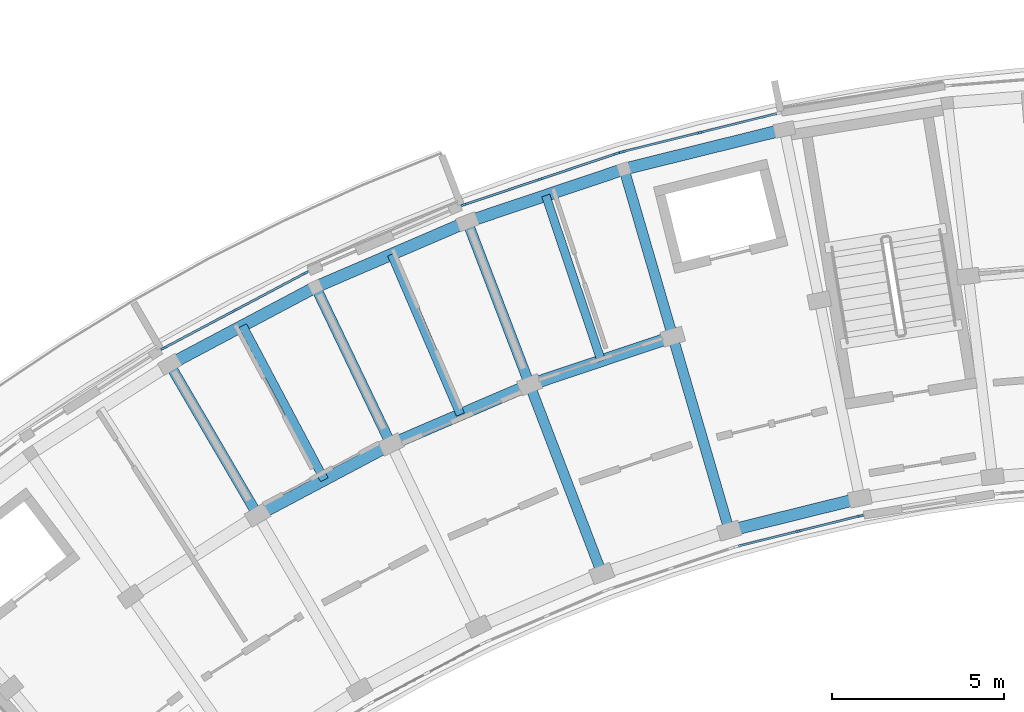
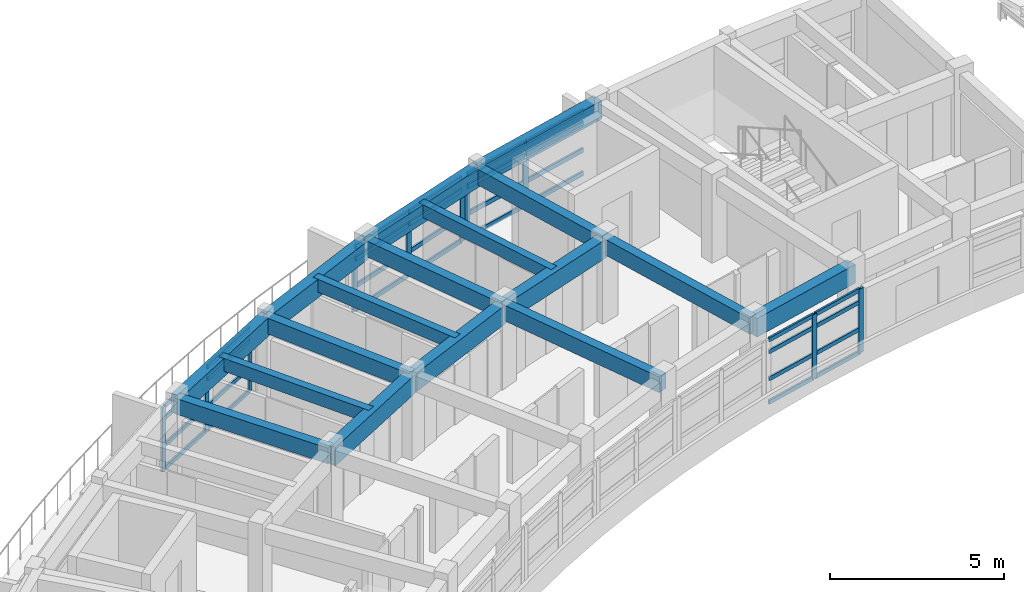
# One storey, part 9 of 20: 42 members, 17 beams, 4 elements without a shape of their own.
"""IFC4 building model written with IfcOpenShell, lengths in metres."""

from ifc_helpers import new_model, si_unit, direction, frame, origin, origin_2d, place, context, subcontext, project, spatial, rectangle, extrude, material, material_profile, profile_set, type_object, element, aggregate, save


model = new_model("IFC4")

# Units and contexts
model_context = context("Model", 3, precision=1e-05, world=origin(), true_north=direction((0.0, 1.0)))
body_context = subcontext(model_context, "Body", "Model", "MODEL_VIEW")
ifc_project = project(units=[si_unit("LENGTHUNIT", "METRE"), si_unit("AREAUNIT", "SQUARE_METRE"), si_unit("VOLUMEUNIT", "CUBIC_METRE"), si_unit("PLANEANGLEUNIT", "RADIAN"), si_unit("MASSUNIT", "GRAM", prefix="KILO")], contexts=[model_context])

# Site, building, storey
site_placement = place(None, origin())
site = spatial("IfcSite", under=ifc_project, at=site_placement, CompositionType="ELEMENT")
building_placement = place(site_placement, origin())
building = spatial("IfcBuilding", under=site, at=building_placement, Name="Zimvara Arc Housing Community", CompositionType="ELEMENT")
storey_placement = place(building_placement, frame((0.0, 0.0, 39.10009765625)))
storey = spatial("IfcBuildingStorey", under=building, at=storey_placement, Name="L12", CompositionType="ELEMENT", Elevation=39.10009765625)

# Beams
ifc_material_1 = material(Name="Concrete C40/50", Category="concrete")
ifc_material_profile_1 = material_profile(ifc_material_1, rectangle(XDim=0.25, YDim=0.449951171875, at=origin_2d()), Name="RC 250x450")
ifc_profile_set_1 = profile_set([ifc_material_profile_1], Name="Concrete C40/50")
beam_type_1 = type_object("IfcBeamType", Name="BM-RC-250x450", PredefinedType="JOIST", material=ifc_profile_set_1)
beam_1_placement = place(storey_placement, frame((19.813232421875, 91.9892578125, 2.635009765625), z_axis=(-0.46853732736, 0.883443701019, 0.0), x_axis=(-0.883443701019, -0.46853732736, 0.0)))
element("IfcBeam", 1, at=beam_1_placement, inside=storey, type_object=beam_type_1, Name="bm:blkA:L12:joist:b4", PredefinedType="JOIST", context=body_context, shape_type="SweptSolid", body=[
    extrude(rectangle(XDim=0.25, YDim=0.449951171875, at=origin_2d()), origin(), (0.0, 0.0, 1.0), 5.07568359375),
])
beam_2_placement = place(storey_placement, frame((23.77197265625, 93.885986328125, 2.635009765625), z_axis=(-0.394929109608, 0.918711596958, 0.0), x_axis=(-0.918711596958, -0.394929109608, 0.0)))
element("IfcBeam", 2, at=beam_2_placement, inside=storey, type_object=beam_type_1, Name="bm:blkA:L12:joist:b5", PredefinedType="JOIST", context=body_context, shape_type="SweptSolid", body=[
    extrude(rectangle(XDim=0.25, YDim=0.449951171875, at=origin_2d()), origin(), (0.0, 0.0, 1.0), 5.075927734375),
])
beam_3_placement = place(storey_placement, frame((27.8720703125, 95.453369140625, 2.635009765625), z_axis=(-0.318607669836, 0.947886677152, 0.0), x_axis=(-0.947886677152, -0.318607669836, 0.0)))
element("IfcBeam", 3, at=beam_3_placement, inside=storey, type_object=beam_type_1, Name="bm:blkA:L12:joist:b6", PredefinedType="JOIST", context=body_context, shape_type="SweptSolid", body=[
    extrude(rectangle(XDim=0.25, YDim=0.449951171875, at=origin_2d()), origin(), (0.0, 0.0, 1.0), 5.07568359375),
])
ifc_material_2 = material(Name="Concrete C40/50", Category="concrete")
ifc_material_profile_2 = material_profile(ifc_material_2, rectangle(XDim=0.300048828125, YDim=0.550048828125, at=origin_2d()), Name="RC 300x550")
ifc_profile_set_2 = profile_set([ifc_material_profile_2], Name="Concrete C40/50")
beam_type_2 = type_object("IfcBeamType", Name="BM-RC-300x550", PredefinedType="BEAM", material=ifc_profile_set_2)
beam_4_placement = place(storey_placement, frame((17.87255859375, 90.960205078125, 2.5849609375), z_axis=(-0.504196701544, 0.863588840915, 0.0), x_axis=(-0.863588840915, -0.504196701544, 0.0)))
element("IfcBeam", 4, at=beam_4_placement, inside=storey, type_object=beam_type_2, Name="bm:blkA:L12:rad:b4:r23", PredefinedType="BEAM", context=body_context, shape_type="SweptSolid", body=[
    extrude(rectangle(XDim=0.300048828125, YDim=0.550048828125, at=origin_2d()), origin(), (0.0, 0.0, 1.0), 5.079833984375),
])
beam_5_placement = place(storey_placement, frame((21.75390625, 93.0185546875, 2.5849609375), z_axis=(-0.432098194978, 0.901826563091, 0.0), x_axis=(-0.901826563091, -0.432098194978, 0.0)))
element("IfcBeam", 5, at=beam_5_placement, inside=storey, type_object=beam_type_2, Name="bm:blkA:L12:rad:b5:r23", PredefinedType="BEAM", context=body_context, shape_type="SweptSolid", body=[
    extrude(rectangle(XDim=0.300048828125, YDim=0.550048828125, at=origin_2d()), origin(), (0.0, 0.0, 1.0), 5.080078125),
])
beam_6_placement = place(storey_placement, frame((27.889404296875, 89.260986328125, 2.5849609375), z_axis=(-0.357036247742, 0.934090529766, 0.0), x_axis=(-0.934090529766, -0.357036247742, 0.0)))
element("IfcBeam", 6, at=beam_6_placement, inside=storey, type_object=beam_type_2, Name="bm:blkA:L12:rad:b6:r12", PredefinedType="BEAM", context=body_context, shape_type="SweptSolid", body=[
    extrude(rectangle(XDim=0.300048828125, YDim=0.550048828125, at=origin_2d()), origin(), (0.0, 0.0, 1.0), 5.8798828125),
])
beam_7_placement = place(storey_placement, frame((25.7900390625, 94.75341796875, 2.5849609375), z_axis=(-0.357078271386, 0.934074466038, 0.0), x_axis=(-0.934074466038, -0.357078271386, 0.0)))
element("IfcBeam", 7, at=beam_7_placement, inside=storey, type_object=beam_type_2, Name="bm:blkA:L12:rad:b6:r23", PredefinedType="BEAM", context=body_context, shape_type="SweptSolid", body=[
    extrude(rectangle(XDim=0.300048828125, YDim=0.550048828125, at=origin_2d()), origin(), (0.0, 0.0, 1.0), 5.080078125),
])
beam_8_placement = place(storey_placement, frame((31.5986328125, 90.5078125, 2.5849609375), z_axis=(-0.27967473749, 0.960094808449, 0.0), x_axis=(-0.960094808449, -0.27967473749, 0.0)))
element("IfcBeam", 8, at=beam_8_placement, inside=storey, type_object=beam_type_2, Name="bm:blkA:L12:rad:b7:r12", PredefinedType="BEAM", context=body_context, shape_type="SweptSolid", body=[
    extrude(rectangle(XDim=0.300048828125, YDim=0.550048828125, at=origin_2d()), origin(), (0.0, 0.0, 1.0), 5.880126953125),
])
beam_9_placement = place(storey_placement, frame((29.9541015625, 96.1533203125, 2.5849609375), z_axis=(-0.279662254096, 0.960098444762, 0.0), x_axis=(-0.960098444762, -0.279662254096, 0.0)))
element("IfcBeam", 9, at=beam_9_placement, inside=storey, type_object=beam_type_2, Name="bm:blkA:L12:rad:b7:r23", PredefinedType="BEAM", context=body_context, shape_type="SweptSolid", body=[
    extrude(rectangle(XDim=0.300048828125, YDim=0.550048828125, at=origin_2d()), origin(), (0.0, 0.0, 1.0), 5.079833984375),
])
ifc_material_3 = material(Name="Concrete C40/50", Category="concrete")
ifc_material_profile_3 = material_profile(ifc_material_3, rectangle(XDim=0.35009765625, YDim=0.64990234375, at=origin_2d()), Name="RC 350x650")
ifc_profile_set_3 = profile_set([ifc_material_profile_3], Name="Concrete C40/50")
beam_type_3 = type_object("IfcBeamType", Name="BM-RC-350x650", PredefinedType="BEAM", material=ifc_profile_set_3)
beam_10_placement = place(storey_placement, frame((31.5986328125, 90.5078125, 2.534912109375), z_axis=(0.970708671682, 0.240259598602, 0.0), x_axis=(-0.240259598602, 0.970708671682, 0.0)))
element("IfcBeam", 10, at=beam_10_placement, inside=storey, type_object=beam_type_3, Name="bm:blkA:L12:chord:r1:b7", PredefinedType="BEAM", context=body_context, shape_type="SweptSolid", body=[
    extrude(rectangle(XDim=0.35009765625, YDim=0.64990234375, at=origin_2d()), origin(), (0.0, 0.0, 1.0), 3.9130859375),
])
for number, where, z_axis, x_axis, name in (
    (11, (17.87255859375, 90.960205078125, 2.534912109375), (0.883456526058, 0.468513144496, 0.0), (-0.468513144496, 0.883456526058, 0.0), "bm:blkA:L12:chord:r2:b4"),
    (12, (21.75390625, 93.0185546875, 2.534912109375), (0.918724840088, 0.394898301093, 0.0), (-0.394898301093, 0.918724840088, 0.0), "bm:blkA:L12:chord:r2:b5"),
):
    element("IfcBeam", number, at=place(storey_placement, frame(where, z_axis=z_axis, x_axis=x_axis)), inside=storey, type_object=beam_type_3, Name=name, PredefinedType="BEAM", context=body_context, shape_type="SweptSolid", body=[
        extrude(rectangle(XDim=0.35009765625, YDim=0.64990234375, at=origin_2d()), origin(), (0.0, 0.0, 1.0), 4.393310546875),
    ])
beam_11_placement = place(storey_placement, frame((25.7900390625, 94.75341796875, 2.534912109375), z_axis=(0.947868796036, 0.318660862832, 0.0), x_axis=(-0.318660862832, 0.947868796036, 0.0)))
element("IfcBeam", 13, at=beam_11_placement, inside=storey, type_object=beam_type_3, Name="bm:blkA:L12:chord:r2:b6", PredefinedType="BEAM", context=body_context, shape_type="SweptSolid", body=[
    extrude(rectangle(XDim=0.35009765625, YDim=0.64990234375, at=origin_2d()), origin(), (0.0, 0.0, 1.0), 4.39306640625),
])
beam_12_placement = place(storey_placement, frame((15.311279296875, 95.34716796875, 2.534912109375), z_axis=(0.883445542299, 0.468533855546, 0.0), x_axis=(-0.468533855546, 0.883445542299, 0.0)))
element("IfcBeam", 14, at=beam_12_placement, inside=storey, type_object=beam_type_3, Name="bm:blkA:L12:chord:r3:b4", PredefinedType="BEAM", context=body_context, shape_type="SweptSolid", body=[
    extrude(rectangle(XDim=0.35009765625, YDim=0.64990234375, at=origin_2d()), origin(), (0.0, 0.0, 1.0), 4.807861328125),
])
beam_13_placement = place(storey_placement, frame((19.558837890625, 97.599853515625, 2.534912109375), z_axis=(0.918724276228, 0.394899612901, 0.0), x_axis=(-0.394899612901, 0.918724276228, 0.0)))
element("IfcBeam", 15, at=beam_13_placement, inside=storey, type_object=beam_type_3, Name="bm:blkA:L12:chord:r3:b5", PredefinedType="BEAM", context=body_context, shape_type="SweptSolid", body=[
    extrude(rectangle(XDim=0.35009765625, YDim=0.64990234375, at=origin_2d()), origin(), (0.0, 0.0, 1.0), 4.80810546875),
])
beam_14_placement = place(storey_placement, frame((23.97607421875, 99.49853515625, 2.534912109375), z_axis=(0.947877948153, 0.31863363822, 0.0), x_axis=(-0.31863363822, 0.947877948153, 0.0)))
element("IfcBeam", 16, at=beam_14_placement, inside=storey, type_object=beam_type_3, Name="bm:blkA:L12:chord:r3:b6", PredefinedType="BEAM", context=body_context, shape_type="SweptSolid", body=[
    extrude(rectangle(XDim=0.35009765625, YDim=0.64990234375, at=origin_2d()), origin(), (0.0, 0.0, 1.0), 4.807861328125),
])
beam_15_placement = place(storey_placement, frame((28.533447265625, 101.030517578125, 2.534912109375), z_axis=(0.970716235341, 0.240229037474, 0.0), x_axis=(-0.240229037474, 0.970716235341, 0.0)))
element("IfcBeam", 17, at=beam_15_placement, inside=storey, type_object=beam_type_3, Name="bm:blkA:L12:chord:r3:b7", PredefinedType="BEAM", context=body_context, shape_type="SweptSolid", body=[
    extrude(rectangle(XDim=0.35009765625, YDim=0.64990234375, at=origin_2d()), origin(), (0.0, 0.0, 1.0), 4.80810546875),
])

# Curtain wall, members
ifc_material_4 = material(Name="Anodised Aluminium AW-6063", Category="aluminium")
curtain_wall_type_1 = type_object("IfcCurtainWallType", Name="CW-SYS-08", PredefinedType="USERDEFINED", material=ifc_material_4)
curtain_wall_1_placement = place(storey_placement, origin())
curtain_wall_1 = element("IfcCurtainWall", 18, at=curtain_wall_1_placement, inside=storey, type_object=curtain_wall_type_1, Name="cw:blkA:L12:out:b4", ObjectType="CURTAIN WALL", PredefinedType="USERDEFINED")
ifc_material_5 = material(Name="Anodised Aluminium AW-6063", Category="aluminium")
ifc_material_profile_4 = material_profile(ifc_material_5, rectangle(XDim=0.06494140625, YDim=0.179931640625, at=origin_2d()), Name="ALU 65x180")
ifc_profile_set_4 = profile_set([ifc_material_profile_4], Name="Anodised Aluminium AW-6063")
member_type_1 = type_object("IfcMemberType", Name="CWM-65x150", PredefinedType="MULLION", material=ifc_profile_set_4)
member_1_placement = place(storey_placement, frame((15.140869140625, 95.822265625, 0.0), z_axis=(0.0, 0.0, 1.0), x_axis=(-0.468546917761, 0.883438614651, 0.0)))
member_1 = element("IfcMember", 19, at=member_1_placement, type_object=member_type_1, Name="CW08 mullion 1", PredefinedType="MULLION", context=body_context, shape_type="SweptSolid", body=[
    extrude(rectangle(XDim=0.06494140625, YDim=0.179931640625, at=origin_2d()), origin(), (0.0, 0.0, 1.0), 2.25),
])
member_2_placement = place(storey_placement, frame((17.200927734375, 96.914794921875, 0.0), z_axis=(0.0, 0.0, 1.0), x_axis=(-0.468546917761, 0.883438614651, 0.0)))
member_2 = element("IfcMember", 20, at=member_2_placement, type_object=member_type_1, Name="CW08 mullion 2", PredefinedType="MULLION", context=body_context, shape_type="SweptSolid", body=[
    extrude(rectangle(XDim=0.06494140625, YDim=0.179931640625, at=origin_2d()), origin(), (0.0, 0.0, 1.0), 2.25),
])
member_3_placement = place(storey_placement, frame((19.260986328125, 98.007568359375, 0.0), z_axis=(0.0, 0.0, 1.0), x_axis=(-0.468546917761, 0.883438614651, 0.0)))
member_3 = element("IfcMember", 21, at=member_3_placement, type_object=member_type_1, Name="CW08 mullion 3", PredefinedType="MULLION", context=body_context, shape_type="SweptSolid", body=[
    extrude(rectangle(XDim=0.06494140625, YDim=0.179931640625, at=origin_2d()), origin(), (0.0, 0.0, 1.0), 2.25),
])

ifc_material_6 = material(Name="Anodised Aluminium AW-6063", Category="aluminium")
curtain_wall_type_2 = type_object("IfcCurtainWallType", Name="CW-SYS-06", PredefinedType="USERDEFINED", material=ifc_material_6)
curtain_wall_2_placement = place(storey_placement, origin())
curtain_wall_2 = element("IfcCurtainWall", 22, at=curtain_wall_2_placement, inside=storey, type_object=curtain_wall_type_2, Name="cw:blkA:L12:in:b7", ObjectType="CURTAIN WALL", PredefinedType="USERDEFINED")
member_4_placement = place(storey_placement, frame((33.617919921875, 90.492919921875, 0.0), z_axis=(0.0, 0.0, 1.0), x_axis=(-0.240229186313, 0.970716198507, 0.0)))
member_4 = element("IfcMember", 23, at=member_4_placement, type_object=member_type_1, Name="CW06 mullion 2", PredefinedType="MULLION", context=body_context, shape_type="SweptSolid", body=[
    extrude(rectangle(XDim=0.06494140625, YDim=0.179931640625, at=origin_2d()), origin(), (0.0, 0.0, 1.0), 2.25),
])
member_5_placement = place(storey_placement, frame((35.407470703125, 90.935791015625, 0.0), z_axis=(0.0, 0.0, 1.0), x_axis=(-0.240229186313, 0.970716198507, 0.0)))
member_5 = element("IfcMember", 24, at=member_5_placement, type_object=member_type_1, Name="CW06 mullion 3", PredefinedType="MULLION", context=body_context, shape_type="SweptSolid", body=[
    extrude(rectangle(XDim=0.06494140625, YDim=0.179931640625, at=origin_2d()), origin(), (0.0, 0.0, 1.0), 2.25),
])

ifc_material_7 = material(Name="Anodised Aluminium AW-6063", Category="aluminium")
curtain_wall_type_3 = type_object("IfcCurtainWallType", Name="CW-SYS-03", PredefinedType="USERDEFINED", material=ifc_material_7)
curtain_wall_3_placement = place(storey_placement, origin())
curtain_wall_3 = element("IfcCurtainWall", 25, at=curtain_wall_3_placement, inside=storey, type_object=curtain_wall_type_3, Name="cw:blkA:L12:out:b6", ObjectType="CURTAIN WALL", PredefinedType="USERDEFINED")
ifc_material_8 = material(Name="Anodised Aluminium AW-6063", Category="aluminium")
ifc_material_profile_5 = material_profile(ifc_material_8, rectangle(XDim=0.06494140625, YDim=0.195068359375, at=origin_2d()), Name="ALU 65x195")
ifc_profile_set_5 = profile_set([ifc_material_profile_5], Name="Anodised Aluminium AW-6063")
member_type_2 = type_object("IfcMemberType", Name="CWM-65x180", PredefinedType="MULLION", material=ifc_profile_set_5)
member_6_placement = place(storey_placement, frame((23.88525390625, 99.9951171875, 0.0), z_axis=(0.0, 0.0, 1.0), x_axis=(-0.318628583921, 0.947879647164, 0.0)))
member_6 = element("IfcMember", 26, at=member_6_placement, type_object=member_type_2, Name="CW03 mullion 1", PredefinedType="MULLION", context=body_context, shape_type="SweptSolid", body=[
    extrude(rectangle(XDim=0.06494140625, YDim=0.195068359375, at=origin_2d()), origin(), (0.0, 0.0, 1.0), 2.25),
])
member_7_placement = place(storey_placement, frame((26.095703125, 100.73828125, 0.0), z_axis=(0.0, 0.0, 1.0), x_axis=(-0.318628583921, 0.947879647164, 0.0)))
member_7 = element("IfcMember", 27, at=member_7_placement, type_object=member_type_2, Name="CW03 mullion 2", PredefinedType="MULLION", context=body_context, shape_type="SweptSolid", body=[
    extrude(rectangle(XDim=0.06494140625, YDim=0.195068359375, at=origin_2d()), origin(), (0.0, 0.0, 1.0), 2.25),
])
member_8_placement = place(storey_placement, frame((28.305908203125, 101.481201171875, 0.0), z_axis=(0.0, 0.0, 1.0), x_axis=(-0.318628583921, 0.947879647164, 0.0)))
member_8 = element("IfcMember", 28, at=member_8_placement, type_object=member_type_2, Name="CW03 mullion 3", PredefinedType="MULLION", context=body_context, shape_type="SweptSolid", body=[
    extrude(rectangle(XDim=0.06494140625, YDim=0.195068359375, at=origin_2d()), origin(), (0.0, 0.0, 1.0), 2.25),
])

ifc_material_9 = material(Name="Anodised Aluminium AW-6063", Category="aluminium")
curtain_wall_type_4 = type_object("IfcCurtainWallType", Name="CW-SYS-05", PredefinedType="USERDEFINED", material=ifc_material_9)
curtain_wall_4_placement = place(storey_placement, origin())
curtain_wall_4 = element("IfcCurtainWall", 29, at=curtain_wall_4_placement, inside=storey, type_object=curtain_wall_type_4, Name="cw:blkA:L12:out:b7", ObjectType="CURTAIN WALL", PredefinedType="USERDEFINED")
member_9_placement = place(storey_placement, frame((28.4833984375, 101.532958984375, 0.0), z_axis=(0.0, 0.0, 1.0), x_axis=(-0.240229711131, 0.970716068627, 0.0)))
member_9 = element("IfcMember", 30, at=member_9_placement, type_object=member_type_2, Name="CW05 mullion 1", PredefinedType="MULLION", context=body_context, shape_type="SweptSolid", body=[
    extrude(rectangle(XDim=0.06494140625, YDim=0.195068359375, at=origin_2d()), origin(), (0.0, 0.0, 1.0), 2.25),
])
member_10_placement = place(storey_placement, frame((30.7470703125, 102.093017578125, 0.0), z_axis=(0.0, 0.0, 1.0), x_axis=(-0.240229711131, 0.970716068627, 0.0)))
member_10 = element("IfcMember", 31, at=member_10_placement, type_object=member_type_2, Name="CW05 mullion 2", PredefinedType="MULLION", context=body_context, shape_type="SweptSolid", body=[
    extrude(rectangle(XDim=0.06494140625, YDim=0.195068359375, at=origin_2d()), origin(), (0.0, 0.0, 1.0), 2.25),
])

# Member
ifc_material_10 = material(Name="Anodised Aluminium AW-6063", Category="aluminium")
ifc_material_profile_6 = material_profile(ifc_material_10, rectangle(XDim=0.06494140625, YDim=0.139892578125, at=origin_2d()), Name="ALU 65x140")
ifc_profile_set_6 = profile_set([ifc_material_profile_6], Name="Anodised Aluminium AW-6063")
member_type_3 = type_object("IfcMemberType", Name="CWT-65x120", PredefinedType="USERDEFINED", material=ifc_profile_set_6)
member_11_placement = place(storey_placement, frame((15.16943359375, 95.83740234375, 0.032470703125), z_axis=(0.883420900208, 0.468580316568, 0.0), x_axis=(-0.468580316568, 0.883420900208, 0.0)))
member_11 = element("IfcMember", 32, at=member_11_placement, type_object=member_type_3, Name="CW08 transom 1.1", ObjectType="TRANSOM", PredefinedType="USERDEFINED", context=body_context, shape_type="SweptSolid", body=[
    extrude(rectangle(XDim=0.06494140625, YDim=0.139892578125, at=origin_2d()), origin(), (0.0, 0.0, 1.0), 2.266845703125),
])

member_12_placement = place(storey_placement, frame((15.16943359375, 95.83740234375, 0.849853515625), z_axis=(0.883420900208, 0.468580316568, 0.0), x_axis=(-0.468580316568, 0.883420900208, 0.0)))
member_12 = element("IfcMember", 33, at=member_12_placement, type_object=member_type_3, Name="CW08 transom 1.2", ObjectType="TRANSOM", PredefinedType="USERDEFINED", context=body_context, shape_type="SweptSolid", body=[
    extrude(rectangle(XDim=0.06494140625, YDim=0.139892578125, at=origin_2d()), origin(), (0.0, 0.0, 1.0), 2.266845703125),
])

member_13_placement = place(storey_placement, frame((15.16943359375, 95.83740234375, 1.7998046875), z_axis=(0.883420900208, 0.468580316568, 0.0), x_axis=(-0.468580316568, 0.883420900208, 0.0)))
member_13 = element("IfcMember", 34, at=member_13_placement, type_object=member_type_3, Name="CW08 transom 1.3", ObjectType="TRANSOM", PredefinedType="USERDEFINED", context=body_context, shape_type="SweptSolid", body=[
    extrude(rectangle(XDim=0.06494140625, YDim=0.139892578125, at=origin_2d()), origin(), (0.0, 0.0, 1.0), 2.266845703125),
])

member_14_placement = place(storey_placement, frame((15.16943359375, 95.83740234375, 2.21728515625), z_axis=(0.883420900208, 0.468580316568, 0.0), x_axis=(-0.468580316568, 0.883420900208, 0.0)))
member_14 = element("IfcMember", 35, at=member_14_placement, type_object=member_type_3, Name="CW08 transom 1.4", ObjectType="TRANSOM", PredefinedType="USERDEFINED", context=body_context, shape_type="SweptSolid", body=[
    extrude(rectangle(XDim=0.06494140625, YDim=0.139892578125, at=origin_2d()), origin(), (0.0, 0.0, 1.0), 2.266845703125),
])

member_15_placement = place(storey_placement, frame((17.2294921875, 96.93017578125, 0.032470703125), z_axis=(0.883489114766, 0.468451688107, 0.0), x_axis=(-0.468451688107, 0.883489114766, 0.0)))
member_15 = element("IfcMember", 36, at=member_15_placement, type_object=member_type_3, Name="CW08 transom 2.1", ObjectType="TRANSOM", PredefinedType="USERDEFINED", context=body_context, shape_type="SweptSolid", body=[
    extrude(rectangle(XDim=0.06494140625, YDim=0.139892578125, at=origin_2d()), origin(), (0.0, 0.0, 1.0), 2.26708984375),
])

member_16_placement = place(storey_placement, frame((17.2294921875, 96.93017578125, 0.849853515625), z_axis=(0.883489114766, 0.468451688107, 0.0), x_axis=(-0.468451688107, 0.883489114766, 0.0)))
member_16 = element("IfcMember", 37, at=member_16_placement, type_object=member_type_3, Name="CW08 transom 2.2", ObjectType="TRANSOM", PredefinedType="USERDEFINED", context=body_context, shape_type="SweptSolid", body=[
    extrude(rectangle(XDim=0.06494140625, YDim=0.139892578125, at=origin_2d()), origin(), (0.0, 0.0, 1.0), 2.26708984375),
])

member_17_placement = place(storey_placement, frame((17.2294921875, 96.93017578125, 1.7998046875), z_axis=(0.883489114766, 0.468451688107, 0.0), x_axis=(-0.468451688107, 0.883489114766, 0.0)))
member_17 = element("IfcMember", 38, at=member_17_placement, type_object=member_type_3, Name="CW08 transom 2.3", ObjectType="TRANSOM", PredefinedType="USERDEFINED", context=body_context, shape_type="SweptSolid", body=[
    extrude(rectangle(XDim=0.06494140625, YDim=0.139892578125, at=origin_2d()), origin(), (0.0, 0.0, 1.0), 2.26708984375),
])

member_18_placement = place(storey_placement, frame((17.2294921875, 96.93017578125, 2.21728515625), z_axis=(0.883489114766, 0.468451688107, 0.0), x_axis=(-0.468451688107, 0.883489114766, 0.0)))
member_18 = element("IfcMember", 39, at=member_18_placement, type_object=member_type_3, Name="CW08 transom 2.4", ObjectType="TRANSOM", PredefinedType="USERDEFINED", context=body_context, shape_type="SweptSolid", body=[
    extrude(rectangle(XDim=0.06494140625, YDim=0.139892578125, at=origin_2d()), origin(), (0.0, 0.0, 1.0), 2.26708984375),
])

aggregate(curtain_wall_1, [member_1, member_2, member_3, member_11, member_12, member_13, member_14, member_15, member_16, member_17, member_18])

member_19_placement = place(storey_placement, frame((31.85986328125, 90.057861328125, 0.032470703125), z_axis=(0.970721060666, 0.240209538485, 0.0), x_axis=(-0.240209538485, 0.970721060666, 0.0)))
member_19 = element("IfcMember", 40, at=member_19_placement, type_object=member_type_3, Name="CW06 transom 1.1", ObjectType="TRANSOM", PredefinedType="USERDEFINED", context=body_context, shape_type="SweptSolid", body=[
    extrude(rectangle(XDim=0.06494140625, YDim=0.139892578125, at=origin_2d()), origin(), (0.0, 0.0, 1.0), 1.778564453125),
])

member_20_placement = place(storey_placement, frame((31.85986328125, 90.057861328125, 0.849853515625), z_axis=(0.970721060666, 0.240209538485, 0.0), x_axis=(-0.240209538485, 0.970721060666, 0.0)))
member_20 = element("IfcMember", 41, at=member_20_placement, type_object=member_type_3, Name="CW06 transom 1.2", ObjectType="TRANSOM", PredefinedType="USERDEFINED", context=body_context, shape_type="SweptSolid", body=[
    extrude(rectangle(XDim=0.06494140625, YDim=0.139892578125, at=origin_2d()), origin(), (0.0, 0.0, 1.0), 1.778564453125),
])

member_21_placement = place(storey_placement, frame((31.85986328125, 90.057861328125, 1.7998046875), z_axis=(0.970721060666, 0.240209538485, 0.0), x_axis=(-0.240209538485, 0.970721060666, 0.0)))
member_21 = element("IfcMember", 42, at=member_21_placement, type_object=member_type_3, Name="CW06 transom 1.3", ObjectType="TRANSOM", PredefinedType="USERDEFINED", context=body_context, shape_type="SweptSolid", body=[
    extrude(rectangle(XDim=0.06494140625, YDim=0.139892578125, at=origin_2d()), origin(), (0.0, 0.0, 1.0), 1.778564453125),
])

member_22_placement = place(storey_placement, frame((31.85986328125, 90.057861328125, 2.21728515625), z_axis=(0.970721060666, 0.240209538485, 0.0), x_axis=(-0.240209538485, 0.970721060666, 0.0)))
member_22 = element("IfcMember", 43, at=member_22_placement, type_object=member_type_3, Name="CW06 transom 1.4", ObjectType="TRANSOM", PredefinedType="USERDEFINED", context=body_context, shape_type="SweptSolid", body=[
    extrude(rectangle(XDim=0.06494140625, YDim=0.139892578125, at=origin_2d()), origin(), (0.0, 0.0, 1.0), 1.778564453125),
])

member_23_placement = place(storey_placement, frame((33.6494140625, 90.500732421875, 0.032470703125), z_axis=(0.970721060666, 0.240209538485, 0.0), x_axis=(-0.240209538485, 0.970721060666, 0.0)))
member_23 = element("IfcMember", 44, at=member_23_placement, type_object=member_type_3, Name="CW06 transom 2.1", ObjectType="TRANSOM", PredefinedType="USERDEFINED", context=body_context, shape_type="SweptSolid", body=[
    extrude(rectangle(XDim=0.06494140625, YDim=0.139892578125, at=origin_2d()), origin(), (0.0, 0.0, 1.0), 1.778564453125),
])

member_24_placement = place(storey_placement, frame((33.6494140625, 90.500732421875, 0.849853515625), z_axis=(0.970721060666, 0.240209538485, 0.0), x_axis=(-0.240209538485, 0.970721060666, 0.0)))
member_24 = element("IfcMember", 45, at=member_24_placement, type_object=member_type_3, Name="CW06 transom 2.2", ObjectType="TRANSOM", PredefinedType="USERDEFINED", context=body_context, shape_type="SweptSolid", body=[
    extrude(rectangle(XDim=0.06494140625, YDim=0.139892578125, at=origin_2d()), origin(), (0.0, 0.0, 1.0), 1.778564453125),
])

member_25_placement = place(storey_placement, frame((33.6494140625, 90.500732421875, 1.7998046875), z_axis=(0.970721060666, 0.240209538485, 0.0), x_axis=(-0.240209538485, 0.970721060666, 0.0)))
member_25 = element("IfcMember", 46, at=member_25_placement, type_object=member_type_3, Name="CW06 transom 2.3", ObjectType="TRANSOM", PredefinedType="USERDEFINED", context=body_context, shape_type="SweptSolid", body=[
    extrude(rectangle(XDim=0.06494140625, YDim=0.139892578125, at=origin_2d()), origin(), (0.0, 0.0, 1.0), 1.778564453125),
])

member_26_placement = place(storey_placement, frame((33.6494140625, 90.500732421875, 2.21728515625), z_axis=(0.970721060666, 0.240209538485, 0.0), x_axis=(-0.240209538485, 0.970721060666, 0.0)))
member_26 = element("IfcMember", 47, at=member_26_placement, type_object=member_type_3, Name="CW06 transom 2.4", ObjectType="TRANSOM", PredefinedType="USERDEFINED", context=body_context, shape_type="SweptSolid", body=[
    extrude(rectangle(XDim=0.06494140625, YDim=0.139892578125, at=origin_2d()), origin(), (0.0, 0.0, 1.0), 1.778564453125),
])

aggregate(curtain_wall_2, [member_4, member_5, member_19, member_20, member_21, member_22, member_23, member_24, member_25, member_26])

ifc_material_11 = material(Name="Anodised Aluminium AW-6063", Category="aluminium")
ifc_material_profile_7 = material_profile(ifc_material_11, rectangle(XDim=0.06494140625, YDim=0.155029296875, at=origin_2d()), Name="ALU 65x155")
ifc_profile_set_7 = profile_set([ifc_material_profile_7], Name="Anodised Aluminium AW-6063")
member_type_4 = type_object("IfcMemberType", Name="CWT-65x140", PredefinedType="USERDEFINED", material=ifc_profile_set_7)
member_27_placement = place(storey_placement, frame((23.916015625, 100.00537109375, 0.032470703125), z_axis=(0.947861605379, 0.318682250916, 0.0), x_axis=(-0.318682250916, 0.947861605379, 0.0)))
member_27 = element("IfcMember", 48, at=member_27_placement, type_object=member_type_4, Name="CW03 transom 1.1", ObjectType="TRANSOM", PredefinedType="USERDEFINED", context=body_context, shape_type="SweptSolid", body=[
    extrude(rectangle(XDim=0.06494140625, YDim=0.155029296875, at=origin_2d()), origin(), (0.0, 0.0, 1.0), 2.266845703125),
])

member_28_placement = place(storey_placement, frame((23.916015625, 100.00537109375, 0.849853515625), z_axis=(0.947861605379, 0.318682250916, 0.0), x_axis=(-0.318682250916, 0.947861605379, 0.0)))
member_28 = element("IfcMember", 49, at=member_28_placement, type_object=member_type_4, Name="CW03 transom 1.2", ObjectType="TRANSOM", PredefinedType="USERDEFINED", context=body_context, shape_type="SweptSolid", body=[
    extrude(rectangle(XDim=0.06494140625, YDim=0.155029296875, at=origin_2d()), origin(), (0.0, 0.0, 1.0), 2.266845703125),
])

member_29_placement = place(storey_placement, frame((23.916015625, 100.00537109375, 1.7998046875), z_axis=(0.947861605379, 0.318682250916, 0.0), x_axis=(-0.318682250916, 0.947861605379, 0.0)))
member_29 = element("IfcMember", 50, at=member_29_placement, type_object=member_type_4, Name="CW03 transom 1.3", ObjectType="TRANSOM", PredefinedType="USERDEFINED", context=body_context, shape_type="SweptSolid", body=[
    extrude(rectangle(XDim=0.06494140625, YDim=0.155029296875, at=origin_2d()), origin(), (0.0, 0.0, 1.0), 2.266845703125),
])

member_30_placement = place(storey_placement, frame((23.916015625, 100.00537109375, 2.21728515625), z_axis=(0.947861605379, 0.318682250916, 0.0), x_axis=(-0.318682250916, 0.947861605379, 0.0)))
member_30 = element("IfcMember", 51, at=member_30_placement, type_object=member_type_4, Name="CW03 transom 1.4", ObjectType="TRANSOM", PredefinedType="USERDEFINED", context=body_context, shape_type="SweptSolid", body=[
    extrude(rectangle(XDim=0.06494140625, YDim=0.155029296875, at=origin_2d()), origin(), (0.0, 0.0, 1.0), 2.266845703125),
])

member_31_placement = place(storey_placement, frame((26.12646484375, 100.74853515625, 0.032470703125), z_axis=(0.947861605379, 0.318682250916, 0.0), x_axis=(-0.318682250916, 0.947861605379, 0.0)))
member_31 = element("IfcMember", 52, at=member_31_placement, type_object=member_type_4, Name="CW03 transom 2.1", ObjectType="TRANSOM", PredefinedType="USERDEFINED", context=body_context, shape_type="SweptSolid", body=[
    extrude(rectangle(XDim=0.06494140625, YDim=0.155029296875, at=origin_2d()), origin(), (0.0, 0.0, 1.0), 2.266845703125),
])

member_32_placement = place(storey_placement, frame((26.12646484375, 100.74853515625, 0.849853515625), z_axis=(0.947861605379, 0.318682250916, 0.0), x_axis=(-0.318682250916, 0.947861605379, 0.0)))
member_32 = element("IfcMember", 53, at=member_32_placement, type_object=member_type_4, Name="CW03 transom 2.2", ObjectType="TRANSOM", PredefinedType="USERDEFINED", context=body_context, shape_type="SweptSolid", body=[
    extrude(rectangle(XDim=0.06494140625, YDim=0.155029296875, at=origin_2d()), origin(), (0.0, 0.0, 1.0), 2.266845703125),
])

member_33_placement = place(storey_placement, frame((26.12646484375, 100.74853515625, 1.7998046875), z_axis=(0.947861605379, 0.318682250916, 0.0), x_axis=(-0.318682250916, 0.947861605379, 0.0)))
member_33 = element("IfcMember", 54, at=member_33_placement, type_object=member_type_4, Name="CW03 transom 2.3", ObjectType="TRANSOM", PredefinedType="USERDEFINED", context=body_context, shape_type="SweptSolid", body=[
    extrude(rectangle(XDim=0.06494140625, YDim=0.155029296875, at=origin_2d()), origin(), (0.0, 0.0, 1.0), 2.266845703125),
])

member_34_placement = place(storey_placement, frame((26.12646484375, 100.74853515625, 2.21728515625), z_axis=(0.947861605379, 0.318682250916, 0.0), x_axis=(-0.318682250916, 0.947861605379, 0.0)))
member_34 = element("IfcMember", 55, at=member_34_placement, type_object=member_type_4, Name="CW03 transom 2.4", ObjectType="TRANSOM", PredefinedType="USERDEFINED", context=body_context, shape_type="SweptSolid", body=[
    extrude(rectangle(XDim=0.06494140625, YDim=0.155029296875, at=origin_2d()), origin(), (0.0, 0.0, 1.0), 2.266845703125),
])

aggregate(curtain_wall_3, [member_6, member_7, member_8, member_27, member_28, member_29, member_30, member_31, member_32, member_33, member_34])

member_35_placement = place(storey_placement, frame((28.51513671875, 101.540771484375, 0.032470703125), z_axis=(0.970728837212, 0.240178110172, 0.0), x_axis=(-0.240178110172, 0.970728837212, 0.0)))
member_35 = element("IfcMember", 56, at=member_35_placement, type_object=member_type_4, Name="CW05 transom 1.1", ObjectType="TRANSOM", PredefinedType="USERDEFINED", context=body_context, shape_type="SweptSolid", body=[
    extrude(rectangle(XDim=0.06494140625, YDim=0.155029296875, at=origin_2d()), origin(), (0.0, 0.0, 1.0), 2.266845703125),
])

member_36_placement = place(storey_placement, frame((28.51513671875, 101.540771484375, 0.849853515625), z_axis=(0.970728837212, 0.240178110172, 0.0), x_axis=(-0.240178110172, 0.970728837212, 0.0)))
member_36 = element("IfcMember", 57, at=member_36_placement, type_object=member_type_4, Name="CW05 transom 1.2", ObjectType="TRANSOM", PredefinedType="USERDEFINED", context=body_context, shape_type="SweptSolid", body=[
    extrude(rectangle(XDim=0.06494140625, YDim=0.155029296875, at=origin_2d()), origin(), (0.0, 0.0, 1.0), 2.266845703125),
])

member_37_placement = place(storey_placement, frame((28.51513671875, 101.540771484375, 1.7998046875), z_axis=(0.970728837212, 0.240178110172, 0.0), x_axis=(-0.240178110172, 0.970728837212, 0.0)))
member_37 = element("IfcMember", 58, at=member_37_placement, type_object=member_type_4, Name="CW05 transom 1.3", ObjectType="TRANSOM", PredefinedType="USERDEFINED", context=body_context, shape_type="SweptSolid", body=[
    extrude(rectangle(XDim=0.06494140625, YDim=0.155029296875, at=origin_2d()), origin(), (0.0, 0.0, 1.0), 2.266845703125),
])

member_38_placement = place(storey_placement, frame((28.51513671875, 101.540771484375, 2.21728515625), z_axis=(0.970728837212, 0.240178110172, 0.0), x_axis=(-0.240178110172, 0.970728837212, 0.0)))
member_38 = element("IfcMember", 59, at=member_38_placement, type_object=member_type_4, Name="CW05 transom 1.4", ObjectType="TRANSOM", PredefinedType="USERDEFINED", context=body_context, shape_type="SweptSolid", body=[
    extrude(rectangle(XDim=0.06494140625, YDim=0.155029296875, at=origin_2d()), origin(), (0.0, 0.0, 1.0), 2.266845703125),
])

member_39_placement = place(storey_placement, frame((30.77880859375, 102.100830078125, 0.032470703125), z_axis=(0.970703721793, 0.240279596507, 0.0), x_axis=(-0.240279596507, 0.970703721793, 0.0)))
member_39 = element("IfcMember", 60, at=member_39_placement, type_object=member_type_4, Name="CW05 transom 2.1", ObjectType="TRANSOM", PredefinedType="USERDEFINED", context=body_context, shape_type="SweptSolid", body=[
    extrude(rectangle(XDim=0.06494140625, YDim=0.155029296875, at=origin_2d()), origin(), (0.0, 0.0, 1.0), 2.266845703125),
])

member_40_placement = place(storey_placement, frame((30.77880859375, 102.100830078125, 0.849853515625), z_axis=(0.970703721793, 0.240279596507, 0.0), x_axis=(-0.240279596507, 0.970703721793, 0.0)))
member_40 = element("IfcMember", 61, at=member_40_placement, type_object=member_type_4, Name="CW05 transom 2.2", ObjectType="TRANSOM", PredefinedType="USERDEFINED", context=body_context, shape_type="SweptSolid", body=[
    extrude(rectangle(XDim=0.06494140625, YDim=0.155029296875, at=origin_2d()), origin(), (0.0, 0.0, 1.0), 2.266845703125),
])

member_41_placement = place(storey_placement, frame((30.77880859375, 102.100830078125, 1.7998046875), z_axis=(0.970703721793, 0.240279596507, 0.0), x_axis=(-0.240279596507, 0.970703721793, 0.0)))
member_41 = element("IfcMember", 62, at=member_41_placement, type_object=member_type_4, Name="CW05 transom 2.3", ObjectType="TRANSOM", PredefinedType="USERDEFINED", context=body_context, shape_type="SweptSolid", body=[
    extrude(rectangle(XDim=0.06494140625, YDim=0.155029296875, at=origin_2d()), origin(), (0.0, 0.0, 1.0), 2.266845703125),
])

member_42_placement = place(storey_placement, frame((30.77880859375, 102.100830078125, 2.21728515625), z_axis=(0.970703721793, 0.240279596507, 0.0), x_axis=(-0.240279596507, 0.970703721793, 0.0)))
member_42 = element("IfcMember", 63, at=member_42_placement, type_object=member_type_4, Name="CW05 transom 2.4", ObjectType="TRANSOM", PredefinedType="USERDEFINED", context=body_context, shape_type="SweptSolid", body=[
    extrude(rectangle(XDim=0.06494140625, YDim=0.155029296875, at=origin_2d()), origin(), (0.0, 0.0, 1.0), 2.266845703125),
])

aggregate(curtain_wall_4, [member_9, member_10, member_35, member_36, member_37, member_38, member_39, member_40, member_41, member_42])

save(model, "model.ifc")
